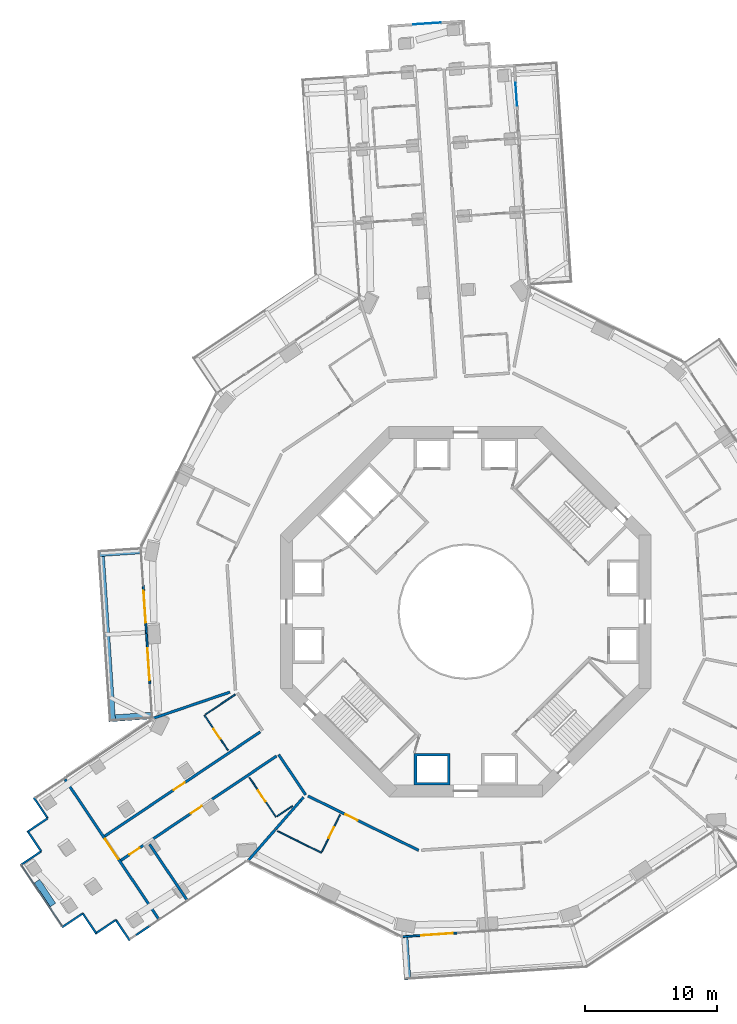
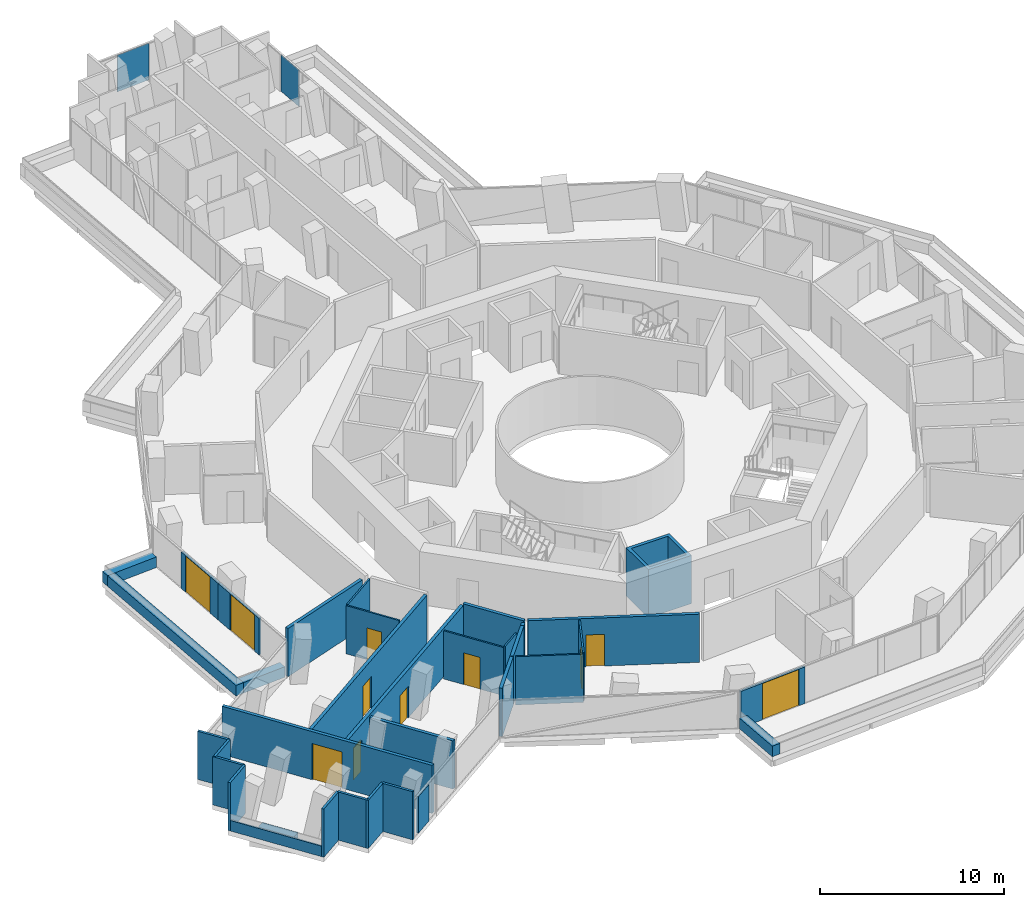
# One storey, part 17 of 25: 35 walls, 11 doors, 2 plates, 11 openings, 2 elements without a shape of their own.
"""IFC4 building model written with IfcOpenShell, lengths in metres."""

from ifc_helpers import new_model, si_unit, direction, frame, frame_2d, origin, origin_2d, place, context, subcontext, project, spatial, polyline, rectangle, outline, extrude, material, layer, layer_set, type_object, element, fill, aggregate, save


model = new_model("IFC4")

# Units and contexts
model_context = context("Model", 3, precision=1e-05, world=origin(), true_north=direction((0.0, 1.0)))
body_context = subcontext(model_context, "Body", "Model", "MODEL_VIEW")
ifc_project = project(units=[si_unit("LENGTHUNIT", "METRE"), si_unit("AREAUNIT", "SQUARE_METRE"), si_unit("VOLUMEUNIT", "CUBIC_METRE"), si_unit("PLANEANGLEUNIT", "RADIAN"), si_unit("MASSUNIT", "GRAM", prefix="KILO")], contexts=[model_context])

# Site, building, storey
site_placement = place(None, origin())
site = spatial("IfcSite", under=ifc_project, at=site_placement, CompositionType="ELEMENT")
building_placement = place(site_placement, origin())
building = spatial("IfcBuilding", under=site, at=building_placement, Name="Verdalira Terraces Hotel", CompositionType="ELEMENT")
storey_placement = place(building_placement, frame((0.0, 0.0, 49.5)))
storey = spatial("IfcBuildingStorey", under=building, at=storey_placement, Name="L10", CompositionType="ELEMENT", Elevation=49.5)

# Curtain wall, plate
ifc_material_1 = material(Name="Clear glass", Category="glass")
ifc_layer_1 = layer(ifc_material_1, 0.14990234375)
ifc_layer_set_1 = layer_set([ifc_layer_1], Name="CW2 curtain wall")
curtain_wall_type_1 = type_object("IfcCurtainWallType", Name="CW2 curtain wall", PredefinedType="NOTDEFINED", material=ifc_layer_set_1)
curtain_wall_1_placement = place(storey_placement, origin())
curtain_wall_1 = element("IfcCurtainWall", 1, at=curtain_wall_1_placement, inside=storey, type_object=curtain_wall_type_1, Name="CW2 curtain wall L10 edge 0", PredefinedType="NOTDEFINED")
ifc_material_2 = material(Name="Clear glass", Category="glass")
ifc_layer_2 = layer(ifc_material_2, 0.031982421875)
ifc_layer_set_2 = layer_set([ifc_layer_2], Name="CW2 glass unit 32")
plate_type_1 = type_object("IfcPlateType", Name="CW2 glass unit 32", PredefinedType="CURTAIN_PANEL", material=ifc_layer_set_2)
plate_1_placement = place(storey_placement, frame((3.815186, 39.097168, 0.0), z_axis=(0.0, 0.0, 1.0), x_axis=(-0.066970481, 0.997754957, 0.0)))
plate_1 = element("IfcPlate", 2, at=plate_1_placement, type_object=plate_type_1, Name="CW2 glass unit", PredefinedType="CURTAIN_PANEL", context=body_context, shape_type="SweptSolid", body=[
    extrude(rectangle(XDim=1.758057, YDim=0.031982, at=origin_2d()), origin(), (0.0, 0.0, 1.0), 2.425049),
])
aggregate(curtain_wall_1, [plate_1])

ifc_material_3 = material(Name="Clear glass", Category="glass")
ifc_layer_3 = layer(ifc_material_3, 0.14990234375)
ifc_layer_set_3 = layer_set([ifc_layer_3], Name="CW3 curtain wall")
curtain_wall_type_2 = type_object("IfcCurtainWallType", Name="CW3 curtain wall", PredefinedType="NOTDEFINED", material=ifc_layer_set_3)
curtain_wall_2_placement = place(storey_placement, origin())
curtain_wall_2 = element("IfcCurtainWall", 3, at=curtain_wall_2_placement, inside=storey, type_object=curtain_wall_type_2, Name="CW3 curtain wall L10 edge 5", PredefinedType="NOTDEFINED")
ifc_material_4 = material(Name="Clear glass", Category="glass")
ifc_layer_4 = layer(ifc_material_4, 0.035888671875)
ifc_layer_set_4 = layer_set([ifc_layer_4], Name="CW3 glass unit 36")
plate_type_2 = type_object("IfcPlateType", Name="CW3 glass unit 36", PredefinedType="CURTAIN_PANEL", material=ifc_layer_set_4)
plate_2_placement = place(storey_placement, frame((-2.936523, 44.436035, 0.0), z_axis=(0.0, 0.0, 1.0), x_axis=(-0.997754957, -0.066970481, 0.0)))
plate_2 = element("IfcPlate", 4, at=plate_2_placement, type_object=plate_type_2, Name="CW3 glass unit", PredefinedType="CURTAIN_PANEL", context=body_context, shape_type="SweptSolid", body=[
    extrude(rectangle(XDim=2.071777, YDim=0.035889, at=origin_2d()), origin(), (0.0, 0.0, 1.0), 2.425049),
])
aggregate(curtain_wall_2, [plate_2])

# Walls
ifc_material_5 = material(Name="Concrete C40", Category="concrete")
ifc_layer_5 = layer(ifc_material_5, 0.5)
ifc_layer_set_5 = layer_set([ifc_layer_5], Name="Balcony planter trough with tree")
wall_type_1 = type_object("IfcWallType", Name="Balcony planter trough with tree", PredefinedType="SOLIDWALL", material=ifc_layer_set_5)
wall_1_placement = place(storey_placement, frame((-24.623535, 4.611328, 0.0), z_axis=(0.0, 0.0, 1.0), x_axis=(-0.997752279, -0.067010365, 0.0)))
element("IfcWall", 5, at=wall_1_placement, inside=storey, type_object=wall_type_1, Name="Balcony planter", PredefinedType="SOLIDWALL", context=body_context, shape_type="SweptSolid", body=[
    extrude(rectangle(XDim=3.19873, YDim=0.5, at=frame_2d((1.599365, 0.0))), origin(), (0.0, 0.0, 1.0), 0.699951),
])
wall_2_placement = place(storey_placement, frame((-27.549072, 4.164307, 0.0), z_axis=(0.0, 0.0, 1.0), x_axis=(0.066972717, -0.997754807, 0.0)))
element("IfcWall", 6, at=wall_2_placement, inside=storey, type_object=wall_type_1, Name="Balcony planter", PredefinedType="SOLIDWALL", context=body_context, shape_type="SweptSolid", body=[
    extrude(rectangle(XDim=12.5, YDim=0.5, at=frame_2d((6.25, 0.0))), origin(), (0.0, 0.0, 1.0), 0.699951),
])
wall_3_placement = place(storey_placement, frame((-26.479248, -8.04126, 0.0), z_axis=(0.0, 0.0, 1.0), x_axis=(0.997757051, 0.066939276, 0.0)))
element("IfcWall", 7, at=wall_3_placement, inside=storey, type_object=wall_type_1, Name="Balcony planter", PredefinedType="SOLIDWALL", context=body_context, shape_type="SweptSolid", body=[
    extrude(rectangle(XDim=2.698975, YDim=0.5, at=frame_2d((1.349609, 0.0))), origin(), (0.0, 0.0, 1.0), 0.699951),
])
wall_4_placement = place(storey_placement, frame((-4.611328, -24.623535, 0.0), z_axis=(0.0, 0.0, 1.0), x_axis=(0.067010365, -0.997752279, 0.0)))
element("IfcWall", 8, at=wall_4_placement, inside=storey, type_object=wall_type_1, Name="Balcony planter", PredefinedType="SOLIDWALL", context=body_context, shape_type="SweptSolid", body=[
    extrude(rectangle(XDim=3.19873, YDim=0.5, at=frame_2d((1.599365, 0.0))), origin(), (0.0, 0.0, 1.0), 0.699951),
])

# Wall, opening, door
ifc_material_6 = material(Name="Moisture-resistant gypsum board partition")
ifc_layer_6 = layer(ifc_material_6, 0.10009765625)
ifc_layer_set_6 = layer_set([ifc_layer_6], Name="Bathroom partition 100 mm")
wall_type_2 = type_object("IfcWallType", Name="Bathroom partition 100 mm", PredefinedType="PARTITIONING", material=ifc_layer_set_6)
wall_5_placement = place(storey_placement, frame((-19.747803, -7.822021, 0.0), z_axis=(0.0, 0.0, 1.0), x_axis=(0.55686387, -0.830603775, 0.0)))
wall_5 = element("IfcWall", 9, at=wall_5_placement, inside=storey, type_object=wall_type_2, Name="Bathroom partition", PredefinedType="PARTITIONING", context=body_context, shape_type="SweptSolid", body=[
    extrude(rectangle(XDim=3.199951, YDim=0.100098, at=frame_2d((1.600098, 0.0))), origin(), (0.0, 0.0, 1.0), 3.189941),
])
opening_1_placement = place(wall_5_placement, frame((1.25, 0.0, 0.0)))
opening_1 = element("IfcOpeningElement", 10, at=opening_1_placement, cuts=wall_5, Name="Opening L10-117", PredefinedType="OPENING", context=body_context, shape_type="SweptSolid", body=[
    extrude(rectangle(XDim=0.899902, YDim=2.100098, at=frame_2d((0.449951, 1.050049))), frame((0.0, 0.060059, 0.0), z_axis=(0.0, -1.0, 0.0), x_axis=(1.0, 0.0, 0.0)), (0.0, 0.0, 1.0), 0.120117),
])
ifc_material_7 = material(Name="Timber door", Category="wood")
door_type_1 = type_object("IfcDoorType", Name="Bathroom door 900 x 2100", OperationType="NOTDEFINED", PredefinedType="DOOR", material=ifc_material_7)
door_1_placement = place(opening_1_placement, origin())
door_1 = element("IfcDoor", 11, at=door_1_placement, inside=storey, type_object=door_type_1, Name="Bathroom door 1006", OperationType="SINGLE_SWING_LEFT", OverallHeight=2.10009765625, OverallWidth=0.89990234375, PredefinedType="DOOR", context=body_context, shape_type="SweptSolid", body=[
    extrude(rectangle(XDim=0.899902, YDim=2.100098, at=frame_2d((0.449951, 1.050049))), frame((0.0, 0.024902, 0.0), z_axis=(0.0, -1.0, 0.0), x_axis=(1.0, 0.0, 0.0)), (0.0, 0.0, 1.0), 0.050049),
])
fill(opening_1, door_1)

# Wall
wall_6_placement = place(storey_placement, frame((-19.664795, -7.766357, 0.0), z_axis=(0.0, 0.0, 1.0), x_axis=(0.830628621, 0.556826807, 0.0)))
element("IfcWall", 12, at=wall_6_placement, inside=storey, type_object=wall_type_2, Name="Bathroom partition", PredefinedType="PARTITIONING", context=body_context, shape_type="SweptSolid", body=[
    extrude(rectangle(XDim=2.699951, YDim=0.100098, at=frame_2d((1.350098, 0.0))), origin(), (0.0, 0.0, 1.0), 3.189941),
])

# Wall, opening, door
wall_7_placement = place(storey_placement, frame((-16.351807, -12.52832, 0.0), z_axis=(0.0, 0.0, 1.0), x_axis=(0.556920558, -0.830565766, 0.0)))
wall_7 = element("IfcWall", 13, at=wall_7_placement, inside=storey, type_object=wall_type_2, Name="Bathroom partition", PredefinedType="PARTITIONING", context=body_context, shape_type="SweptSolid", body=[
    extrude(rectangle(XDim=3.599854, YDim=0.100098, at=frame_2d((1.799805, 0.0))), origin(), (0.0, 0.0, 1.0), 3.189941),
])
opening_2_placement = place(wall_7_placement, frame((1.199951, 0.0, 0.0)))
opening_2 = element("IfcOpeningElement", 14, at=opening_2_placement, cuts=wall_7, Name="Opening L10-120", PredefinedType="OPENING", context=body_context, shape_type="SweptSolid", body=[
    extrude(rectangle(XDim=1.0, YDim=2.100098, at=frame_2d((0.5, 1.050049))), frame((0.0, 0.060059, 0.0), z_axis=(0.0, -1.0, 0.0), x_axis=(1.0, 0.0, 0.0)), (0.0, 0.0, 1.0), 0.120117),
])
ifc_material_8 = material(Name="Timber door", Category="wood")
door_type_2 = type_object("IfcDoorType", Name="Bathroom door 1000 x 2100", OperationType="NOTDEFINED", PredefinedType="DOOR", material=ifc_material_8)
door_2_placement = place(opening_2_placement, origin())
door_2 = element("IfcDoor", 15, at=door_2_placement, inside=storey, type_object=door_type_2, Name="Bathroom door 1008", OperationType="SINGLE_SWING_RIGHT", OverallHeight=2.10009765625, OverallWidth=1.0, PredefinedType="DOOR", context=body_context, shape_type="SweptSolid", body=[
    extrude(rectangle(XDim=1.0, YDim=2.100098, at=frame_2d((0.5, 1.050049))), frame((0.0, 0.024902, 0.0), z_axis=(0.0, -1.0, 0.0), x_axis=(1.0, 0.0, 0.0)), (0.0, 0.0, 1.0), 0.050049),
])
fill(opening_2, door_2)

# Walls
wall_8_placement = place(storey_placement, frame((-13.102295, -14.683838, 0.0), z_axis=(0.0, 0.0, 1.0), x_axis=(-0.830597189, -0.556873693, 0.0)))
element("IfcWall", 16, at=wall_8_placement, inside=storey, type_object=wall_type_2, Name="Bathroom partition", PredefinedType="PARTITIONING", context=body_context, shape_type="SweptSolid", body=[
    extrude(rectangle(XDim=1.398438, YDim=0.100098, at=frame_2d((0.699219, 0.0))), origin(), (0.0, 0.0, 1.0), 3.189941),
])
wall_9_placement = place(storey_placement, frame((-10.906494, -18.21582, 0.0), z_axis=(0.0, 0.0, 1.0), x_axis=(-0.897555699, 0.440901085, 0.0)))
element("IfcWall", 17, at=wall_9_placement, inside=storey, type_object=wall_type_2, Name="Bathroom partition", PredefinedType="PARTITIONING", context=body_context, shape_type="SweptSolid", body=[
    extrude(rectangle(XDim=3.703857, YDim=0.100098, at=frame_2d((1.852051, 0.0))), origin(), (0.0, 0.0, 1.0), 3.189941),
])

# Wall, opening, door
wall_10_placement = place(storey_placement, frame((-10.862305, -18.125977, 0.0), z_axis=(0.0, 0.0, 1.0), x_axis=(0.440870487, 0.897570729, 0.0)))
wall_10 = element("IfcWall", 18, at=wall_10_placement, inside=storey, type_object=wall_type_2, Name="Bathroom partition", PredefinedType="PARTITIONING", context=body_context, shape_type="SweptSolid", body=[
    extrude(rectangle(XDim=3.100098, YDim=0.100098, at=frame_2d((1.550049, 0.0))), origin(), (0.0, 0.0, 1.0), 3.189941),
])
opening_3_placement = place(wall_10_placement, frame((1.149902, 0.0, 0.0)))
opening_3 = element("IfcOpeningElement", 19, at=opening_3_placement, cuts=wall_10, Name="Opening L10-122", PredefinedType="OPENING", context=body_context, shape_type="SweptSolid", body=[
    extrude(rectangle(XDim=0.899902, YDim=2.100098, at=frame_2d((0.449951, 1.050049))), frame((0.0, 0.060059, 0.0), z_axis=(0.0, -1.0, 0.0), x_axis=(1.0, 0.0, 0.0)), (0.0, 0.0, 1.0), 0.120117),
])
door_3_placement = place(opening_3_placement, origin())
door_3 = element("IfcDoor", 20, at=door_3_placement, inside=storey, type_object=door_type_1, Name="Bathroom door 1009", OperationType="SINGLE_SWING_LEFT", OverallHeight=2.10009765625, OverallWidth=0.89990234375, PredefinedType="DOOR", context=body_context, shape_type="SweptSolid", body=[
    extrude(rectangle(XDim=0.899902, YDim=2.100098, at=frame_2d((0.449951, 1.050049))), frame((0.0, 0.024902, 0.0), z_axis=(0.0, -1.0, 0.0), x_axis=(1.0, 0.0, 0.0)), (0.0, 0.0, 1.0), 0.050049),
])
fill(opening_3, door_3)

# Walls
ifc_material_9 = material(Name="Concrete C50", Category="concrete")
ifc_layer_7 = layer(ifc_material_9, 0.199951171875)
ifc_layer_set_7 = layer_set([ifc_layer_7], Name="Core RC wall 200 C50")
wall_type_3 = type_object("IfcWallType", Name="Core RC wall 200 C50", PredefinedType="SOLIDWALL", material=ifc_layer_set_7)
wall_11_placement = place(storey_placement, origin())
element("IfcWall", 21, at=wall_11_placement, inside=storey, type_object=wall_type_3, Name="L10 shaft wall S1", PredefinedType="SOLIDWALL", context=body_context, shape_type="SweptSolid", body=[
    extrude(outline(polyline([(-1.199951, -13.100098), (-3.899902, -13.100098), (-3.899902, -10.699951), (-1.199951, -10.699951), (-1.199951, -13.100098)]), holes=[polyline([(-3.699951, -10.899902), (-3.699951, -12.899902), (-1.399902, -12.899902), (-1.399902, -10.899902), (-3.699951, -10.899902)])]), origin(), (0.0, 0.0, 1.0), 3.189941),
])
ifc_material_10 = material(Name="Fire-rated gypsum board wall")
ifc_layer_8 = layer(ifc_material_10, 0.199951171875)
ifc_layer_set_8 = layer_set([ifc_layer_8], Name="Demising wall 200 mm")
wall_type_4 = type_object("IfcWallType", Name="Demising wall 200 mm", PredefinedType="SOLIDWALL", material=ifc_layer_set_8)
wall_12_placement = place(storey_placement, frame((-17.822998, -6.081299, 0.0), z_axis=(0.0, 0.0, 1.0), x_axis=(-0.946426146, -0.322920346, 0.0)))
element("IfcWall", 22, at=wall_12_placement, inside=storey, type_object=wall_type_4, Name="Demising wall", PredefinedType="SOLIDWALL", context=body_context, shape_type="SweptSolid", body=[
    extrude(rectangle(XDim=6.132324, YDim=0.199951, at=frame_2d((3.066162, 0.0))), origin(), (0.0, 0.0, 1.0), 3.189941),
])
wall_13_placement = place(storey_placement, frame((-14.415527, -16.48999, 0.0), z_axis=(0.0, 0.0, 1.0), x_axis=(-0.65814885, -0.752887834, 0.0)))
element("IfcWall", 23, at=wall_13_placement, inside=storey, type_object=wall_type_4, Name="Demising wall", PredefinedType="SOLIDWALL", context=body_context, shape_type="SweptSolid", body=[
    extrude(rectangle(XDim=3.061523, YDim=0.199951, at=frame_2d((1.530762, 0.0))), origin(), (0.0, 0.0, 1.0), 3.189941),
])
wall_14_placement = place(storey_placement, frame((-12.460449, -14.253418, 0.0), z_axis=(0.0, 0.0, 1.0), x_axis=(-0.658144024, -0.752892053, 0.0)))
element("IfcWall", 24, at=wall_14_placement, inside=storey, type_object=wall_type_4, Name="Demising wall", PredefinedType="SOLIDWALL", context=body_context, shape_type="SweptSolid", body=[
    extrude(rectangle(XDim=2.924561, YDim=0.199951, at=frame_2d((1.462402, 0.0))), origin(), (0.0, 0.0, 1.0), 3.189941),
])
wall_15_placement = place(storey_placement, frame((-12.262207, -14.026855, 0.0), z_axis=(0.0, 0.0, 1.0), x_axis=(-0.658504608, -0.752576695, 0.0)))
element("IfcWall", 25, at=wall_15_placement, inside=storey, type_object=wall_type_4, Name="Demising wall", PredefinedType="SOLIDWALL", context=body_context, shape_type="SweptSolid", body=[
    extrude(rectangle(XDim=0.301025, YDim=0.199951, at=frame_2d((0.150391, 0.0))), origin(), (0.0, 0.0, 1.0), 3.189941),
])

# Wall, opening, door
ifc_material_11 = material(Name="Fire-rated gypsum board wall")
ifc_layer_9 = layer(ifc_material_11, 0.199951171875)
ifc_layer_set_9 = layer_set([ifc_layer_9], Name="Guest corridor wall 200 mm")
wall_type_5 = type_object("IfcWallType", Name="Guest corridor wall 200 mm", PredefinedType="SOLIDWALL", material=ifc_layer_set_9)
wall_16_placement = place(storey_placement, frame((-27.297852, -16.977539, 0.0), z_axis=(0.0, 0.0, 1.0), x_axis=(0.83059481, 0.556877241, 0.0)))
wall_16 = element("IfcWall", 26, at=wall_16_placement, inside=storey, type_object=wall_type_5, Name="Guest corridor wall", PredefinedType="SOLIDWALL", context=body_context, shape_type="SweptSolid", body=[
    extrude(rectangle(XDim=14.169434, YDim=0.199951, at=frame_2d((7.084717, 0.0))), origin(), (0.0, 0.0, 1.0), 3.189941),
])
opening_4_placement = place(wall_16_placement, frame((6.300049, 0.0, 0.0)))
opening_4 = element("IfcOpeningElement", 27, at=opening_4_placement, cuts=wall_16, Name="Opening L10-116", PredefinedType="OPENING", context=body_context, shape_type="SweptSolid", body=[
    extrude(rectangle(XDim=1.0, YDim=2.100098, at=frame_2d((0.5, 1.050049))), frame((0.0, 0.109863, 0.0), z_axis=(0.0, -1.0, 0.0), x_axis=(1.0, 0.0, 0.0)), (0.0, 0.0, 1.0), 0.219971),
])
ifc_material_12 = material(Name="Timber fire door", Category="wood")
door_type_3 = type_object("IfcDoorType", Name="Guest entry door 1000 x 2100", OperationType="NOTDEFINED", PredefinedType="DOOR", material=ifc_material_12)
door_4_placement = place(opening_4_placement, origin())
door_4 = element("IfcDoor", 28, at=door_4_placement, inside=storey, type_object=door_type_3, Name="Guest entry door 1006", OperationType="SINGLE_SWING_LEFT", OverallHeight=2.10009765625, OverallWidth=1.0, PredefinedType="DOOR", context=body_context, shape_type="SweptSolid", body=[
    extrude(rectangle(XDim=1.0, YDim=2.100098, at=frame_2d((0.5, 1.050049))), frame((0.0, 0.024902, 0.0), z_axis=(0.0, -1.0, 0.0), x_axis=(1.0, 0.0, 0.0)), (0.0, 0.0, 1.0), 0.050049),
])
fill(opening_4, door_4)

# Wall, openings, doors
wall_17_placement = place(storey_placement, frame((-14.303711, -10.914307, 0.0), z_axis=(0.0, 0.0, 1.0), x_axis=(-0.83059481, -0.556877241, 0.0)))
wall_17 = element("IfcWall", 29, at=wall_17_placement, inside=storey, type_object=wall_type_5, Name="Guest corridor wall", PredefinedType="SOLIDWALL", context=body_context, shape_type="SweptSolid", body=[
    extrude(rectangle(XDim=14.169434, YDim=0.199951, at=frame_2d((7.084717, 0.0))), origin(), (0.0, 0.0, 1.0), 3.189941),
])
opening_5_placement = place(wall_17_placement, frame((12.474854, 0.0, 0.0)))
opening_5 = element("IfcOpeningElement", 30, at=opening_5_placement, cuts=wall_17, Name="Opening L10-118", PredefinedType="OPENING", context=body_context, shape_type="SweptSolid", body=[
    extrude(rectangle(XDim=0.899902, YDim=2.100098, at=frame_2d((0.449951, 1.050049))), frame((0.0, 0.109863, 0.0), z_axis=(0.0, -1.0, 0.0), x_axis=(1.0, 0.0, 0.0)), (0.0, 0.0, 1.0), 0.219971),
])
opening_6_placement = place(wall_17_placement, frame((6.800049, 0.0, 0.0)))
opening_6 = element("IfcOpeningElement", 31, at=opening_6_placement, cuts=wall_17, Name="Opening L10-119", PredefinedType="OPENING", context=body_context, shape_type="SweptSolid", body=[
    extrude(rectangle(XDim=1.0, YDim=2.100098, at=frame_2d((0.5, 1.050049))), frame((0.0, 0.109863, 0.0), z_axis=(0.0, -1.0, 0.0), x_axis=(1.0, 0.0, 0.0)), (0.0, 0.0, 1.0), 0.219971),
])
door_5_placement = place(opening_6_placement, origin())
door_5 = element("IfcDoor", 32, at=door_5_placement, inside=storey, type_object=door_type_3, Name="Guest entry door 1008", OperationType="SINGLE_SWING_RIGHT", OverallHeight=2.10009765625, OverallWidth=1.0, PredefinedType="DOOR", context=body_context, shape_type="SweptSolid", body=[
    extrude(rectangle(XDim=1.0, YDim=2.100098, at=frame_2d((0.5, 1.050049))), frame((0.0, 0.024902, 0.0), z_axis=(0.0, -1.0, 0.0), x_axis=(1.0, 0.0, 0.0)), (0.0, 0.0, 1.0), 0.050049),
])
fill(opening_6, door_5)
ifc_material_13 = material(Name="Steel fire door", Category="steel")
door_type_4 = type_object("IfcDoorType", Name="Service room door 900 x 2100", OperationType="NOTDEFINED", PredefinedType="DOOR", material=ifc_material_13)
door_6_placement = place(opening_5_placement, origin())
door_6 = element("IfcDoor", 33, at=door_6_placement, inside=storey, type_object=door_type_4, Name="Service room door 1007", OperationType="SINGLE_SWING_LEFT", OverallHeight=2.10009765625, OverallWidth=0.89990234375, PredefinedType="DOOR", context=body_context, shape_type="SweptSolid", body=[
    extrude(rectangle(XDim=0.899902, YDim=2.100098, at=frame_2d((0.449951, 1.050049))), frame((0.0, 0.024902, 0.0), z_axis=(0.0, -1.0, 0.0), x_axis=(1.0, 0.0, 0.0)), (0.0, 0.0, 1.0), 0.050049),
])
fill(opening_5, door_6)

# Wall
wall_18_placement = place(storey_placement, frame((-14.137451, -10.802734, 0.0), z_axis=(0.0, 0.0, 1.0), x_axis=(0.556900496, -0.830579218, 0.0)))
element("IfcWall", 34, at=wall_18_placement, inside=storey, type_object=wall_type_5, Name="Guest corridor wall", PredefinedType="SOLIDWALL", context=body_context, shape_type="SweptSolid", body=[
    extrude(rectangle(XDim=3.658447, YDim=0.199951, at=frame_2d((1.829102, 0.0))), origin(), (0.0, 0.0, 1.0), 3.189941),
])

# Wall, opening, door
wall_19_placement = place(storey_placement, frame((-3.558838, -18.036865, 0.0), z_axis=(0.0, 0.0, 1.0), x_axis=(-0.897570519, 0.440870915, 0.0)))
wall_19 = element("IfcWall", 35, at=wall_19_placement, inside=storey, type_object=wall_type_5, Name="Guest corridor wall", PredefinedType="SOLIDWALL", context=body_context, shape_type="SweptSolid", body=[
    extrude(rectangle(XDim=9.316162, YDim=0.199951, at=frame_2d((4.658203, 0.0))), origin(), (0.0, 0.0, 1.0), 3.189941),
])
opening_7_placement = place(wall_19_placement, frame((5.149902, 0.0, 0.0)))
opening_7 = element("IfcOpeningElement", 36, at=opening_7_placement, cuts=wall_19, Name="Opening L10-121", PredefinedType="OPENING", context=body_context, shape_type="SweptSolid", body=[
    extrude(rectangle(XDim=1.0, YDim=2.100098, at=frame_2d((0.5, 1.050049))), frame((0.0, 0.109863, 0.0), z_axis=(0.0, -1.0, 0.0), x_axis=(1.0, 0.0, 0.0)), (0.0, 0.0, 1.0), 0.219971),
])
door_7_placement = place(opening_7_placement, origin())
door_7 = element("IfcDoor", 37, at=door_7_placement, inside=storey, type_object=door_type_3, Name="Guest entry door 1009", OperationType="SINGLE_SWING_LEFT", OverallHeight=2.10009765625, OverallWidth=1.0, PredefinedType="DOOR", context=body_context, shape_type="SweptSolid", body=[
    extrude(rectangle(XDim=1.0, YDim=2.100098, at=frame_2d((0.5, 1.050049))), frame((0.0, 0.024902, 0.0), z_axis=(0.0, -1.0, 0.0), x_axis=(1.0, 0.0, 0.0)), (0.0, 0.0, 1.0), 0.050049),
])
fill(opening_7, door_7)

ifc_material_14 = material(Name="Terracotta cladding", Category="masonry")
ifc_layer_10 = layer(ifc_material_14, 0.199951171875)
ifc_layer_set_10 = layer_set([ifc_layer_10], Name="Loggia back wall 200")
wall_type_6 = type_object("IfcWallType", Name="Loggia back wall 200", PredefinedType="SOLIDWALL", material=ifc_layer_set_10)
wall_20_placement = place(storey_placement, frame((-23.215576, -23.210205, 0.0), z_axis=(0.0, 0.0, 1.0), x_axis=(-0.556885322, 0.830589392, 0.0)))
wall_20 = element("IfcWall", 38, at=wall_20_placement, inside=storey, type_object=wall_type_6, Name="Loggia back wall", PredefinedType="SOLIDWALL", context=body_context, shape_type="SweptSolid", body=[
    extrude(rectangle(XDim=12.700195, YDim=0.199951, at=frame_2d((6.350098, 0.0))), origin(), (0.0, 0.0, 1.0), 3.189941),
])
opening_8_placement = place(wall_20_placement, frame((5.449951, 0.0, 0.0)))
opening_8 = element("IfcOpeningElement", 39, at=opening_8_placement, cuts=wall_20, Name="Opening L10-L01", PredefinedType="OPENING", context=body_context, shape_type="SweptSolid", body=[
    extrude(rectangle(XDim=1.800049, YDim=2.399902, at=frame_2d((0.899902, 1.199951))), frame((0.0, 0.109863, 0.0), z_axis=(0.0, -1.0, 0.0), x_axis=(1.0, 0.0, 0.0)), (0.0, 0.0, 1.0), 0.219971),
])
ifc_material_15 = material(Name="Clear glass", Category="glass")
door_type_5 = type_object("IfcDoorType", Name="Garden double door 1800x2400", OperationType="NOTDEFINED", PredefinedType="DOOR", material=ifc_material_15)
door_8_placement = place(opening_8_placement, origin())
door_8 = element("IfcDoor", 40, at=door_8_placement, inside=storey, type_object=door_type_5, Name="Loggia double door", OperationType="DOUBLE_DOOR_SINGLE_SWING", OverallHeight=2.39990234375, OverallWidth=1.800048828125, PredefinedType="DOOR", context=body_context, shape_type="SweptSolid", body=[
    extrude(rectangle(XDim=1.800049, YDim=2.399902, at=frame_2d((0.899902, 1.199951))), frame((0.0, 0.024902, 0.0), z_axis=(0.0, -1.0, 0.0), x_axis=(1.0, 0.0, 0.0)), (0.0, 0.0, 1.0), 0.050049),
])
fill(opening_8, door_8)

# Walls
ifc_material_16 = material(Name="Concrete C40", Category="concrete")
ifc_layer_11 = layer(ifc_material_16, 0.5)
ifc_layer_set_11 = layer_set([ifc_layer_11], Name="Loggia planter trough with tree")
wall_type_7 = type_object("IfcWallType", Name="Loggia planter trough with tree", PredefinedType="SOLIDWALL", material=ifc_layer_set_11)
wall_21_placement = place(storey_placement, frame((-32.402588, -20.371826, 0.0), z_axis=(0.0, 0.0, 1.0), x_axis=(0.556911818, -0.830571627, 0.0)))
element("IfcWall", 41, at=wall_21_placement, inside=storey, type_object=wall_type_7, Name="Loggia planter", PredefinedType="SOLIDWALL", context=body_context, shape_type="SweptSolid", body=[
    extrude(rectangle(XDim=2.16333, YDim=0.5, at=frame_2d((1.081543, 0.0))), origin(), (0.0, 0.0, 1.0), 0.699951),
])
ifc_material_17 = material(Name="Concrete C40", Category="concrete")
ifc_layer_12 = layer(ifc_material_17, 0.10009765625)
ifc_layer_set_12 = layer_set([ifc_layer_12], Name="Loggia upstand 100")
wall_type_8 = type_object("IfcWallType", Name="Loggia upstand 100", PredefinedType="SOLIDWALL", material=ifc_layer_set_12)
wall_22_placement = place(storey_placement, frame((-33.557617, -19.187988, 0.0), z_axis=(0.0, 0.0, 1.0), x_axis=(0.556910882, -0.830572255, 0.0)))
element("IfcWall", 42, at=wall_22_placement, inside=storey, type_object=wall_type_8, Name="Loggia upstand", PredefinedType="SOLIDWALL", context=body_context, shape_type="SweptSolid", body=[
    extrude(rectangle(XDim=5.5, YDim=0.100098, at=frame_2d((2.75, 0.0))), origin(), (0.0, 0.0, 1.0), 0.699951),
])
ifc_material_18 = material(Name="Fire-rated gypsum board wall")
ifc_layer_13 = layer(ifc_material_18, 0.199951171875)
ifc_layer_set_13 = layer_set([ifc_layer_13], Name="Service room wall 200 mm")
wall_type_9 = type_object("IfcWallType", Name="Service room wall 200 mm", PredefinedType="SOLIDWALL", material=ifc_layer_set_13)
wall_23_placement = place(storey_placement, frame((-23.88916, -17.581787, 0.0), z_axis=(0.0, 0.0, 1.0), x_axis=(0.556873777, -0.830597132, 0.0)))
element("IfcWall", 43, at=wall_23_placement, inside=storey, type_object=wall_type_9, Name="Service room wall", PredefinedType="SOLIDWALL", context=body_context, shape_type="SweptSolid", body=[
    extrude(rectangle(XDim=5.050049, YDim=0.199951, at=frame_2d((2.524902, 0.0))), origin(), (0.0, 0.0, 1.0), 3.189941),
])
ifc_material_19 = material(Name="Terracotta cladding", Category="masonry")
ifc_layer_14 = layer(ifc_material_19, 0.14990234375)
ifc_layer_set_14 = layer_set([ifc_layer_14], Name="Terracotta clad wall 150")
wall_type_10 = type_object("IfcWallType", Name="Terracotta clad wall 150", PredefinedType="SOLIDWALL", material=ifc_layer_set_14)
wall_24_placement = place(storey_placement, frame((-32.63501, -14.054443, 0.0), z_axis=(0.0, 0.0, 1.0), x_axis=(0.556891742, -0.830585088, 0.0)))
element("IfcWall", 44, at=wall_24_placement, inside=storey, type_object=wall_type_10, Name="Terracotta cladding wall", PredefinedType="SOLIDWALL", context=body_context, shape_type="SweptSolid", body=[
    extrude(rectangle(XDim=1.875, YDim=0.149902, at=frame_2d((0.9375, 0.0))), origin(), (0.0, 0.0, 1.0), 3.189941),
])
wall_25_placement = place(storey_placement, frame((-31.59082, -15.611816, 0.0), z_axis=(0.0, 0.0, 1.0), x_axis=(-0.830586799, -0.55688919, 0.0)))
element("IfcWall", 45, at=wall_25_placement, inside=storey, type_object=wall_type_10, Name="Terracotta cladding wall", PredefinedType="SOLIDWALL", context=body_context, shape_type="SweptSolid", body=[
    extrude(rectangle(XDim=1.800049, YDim=0.149902, at=frame_2d((0.899902, 0.0))), origin(), (0.0, 0.0, 1.0), 3.189941),
])
for number, where, z_axis, x_axis, name in (
    (46, (-33.127686, -16.552002, 0.0), (0.0, 0.0, 1.0), (0.556891742, -0.830585088, 0.0), "Terracotta cladding wall"),
    (47, (-32.083496, -18.109375, 0.0), (0.0, 0.0, 1.0), (-0.830645314, -0.556801906, 0.0), "Terracotta cladding wall"),
    (48, (-30.494385, -23.846191, 0.0), (0.0, 0.0, 1.0), (0.830645314, 0.556801906, 0.0), "Terracotta cladding wall"),
):
    element("IfcWall", number, at=place(storey_placement, frame(where, z_axis=z_axis, x_axis=x_axis)), inside=storey, type_object=wall_type_10, Name=name, PredefinedType="SOLIDWALL", context=body_context, shape_type="SweptSolid", body=[
        extrude(rectangle(XDim=1.875, YDim=0.149902, at=frame_2d((0.9375, 0.0))), origin(), (0.0, 0.0, 1.0), 3.189941),
    ])
wall_26_placement = place(storey_placement, frame((-28.937012, -22.802246, 0.0), z_axis=(0.0, 0.0, 1.0), x_axis=(0.556858351, -0.830607475, 0.0)))
element("IfcWall", 49, at=wall_26_placement, inside=storey, type_object=wall_type_10, Name="Terracotta cladding wall", PredefinedType="SOLIDWALL", context=body_context, shape_type="SweptSolid", body=[
    extrude(rectangle(XDim=1.799805, YDim=0.149902, at=frame_2d((0.899902, 0.0))), origin(), (0.0, 0.0, 1.0), 3.189941),
])
for number, where, z_axis, x_axis, name in (
    (50, (-27.99707, -24.338867, 0.0), (0.0, 0.0, 1.0), (0.830645314, 0.556801906, 0.0), "Terracotta cladding wall"),
    (51, (-26.439697, -23.294922, 0.0), (0.0, 0.0, 1.0), (0.556891742, -0.830585088, 0.0), "Terracotta cladding wall"),
):
    element("IfcWall", number, at=place(storey_placement, frame(where, z_axis=z_axis, x_axis=x_axis)), inside=storey, type_object=wall_type_10, Name=name, PredefinedType="SOLIDWALL", context=body_context, shape_type="SweptSolid", body=[
        extrude(rectangle(XDim=1.875, YDim=0.149902, at=frame_2d((0.9375, 0.0))), origin(), (0.0, 0.0, 1.0), 3.189941),
    ])
ifc_material_20 = material(Name="Terracotta cladding", Category="masonry")
ifc_layer_15 = layer(ifc_material_20, 0.14990234375)
ifc_layer_set_15 = layer_set([ifc_layer_15], Name="Terracotta column pier 150")
wall_type_11 = type_object("IfcWallType", Name="Terracotta column pier 150", PredefinedType="SOLIDWALL", material=ifc_layer_set_15)
wall_27_placement = place(storey_placement, frame((-24.918213, -24.441895, 0.0), z_axis=(0.0, 0.0, 1.0), x_axis=(0.830554347, 0.556937588, 0.0)))
element("IfcWall", 52, at=wall_27_placement, inside=storey, type_object=wall_type_11, Name="Terracotta column pier", PredefinedType="SOLIDWALL", context=body_context, shape_type="SweptSolid", body=[
    extrude(rectangle(XDim=1.283203, YDim=0.149902, at=frame_2d((0.641602, 0.0))), origin(), (0.0, 0.0, 1.0), 2.425049),
])

# Wall, opening, door
ifc_material_21 = material(Name="Terracotta cladding", Category="masonry")
ifc_layer_16 = layer(ifc_material_21, 0.14990234375)
ifc_layer_set_16 = layer_set([ifc_layer_16], Name="Terracotta door pier 150")
wall_type_12 = type_object("IfcWallType", Name="Terracotta door pier 150", PredefinedType="SOLIDWALL", material=ifc_layer_set_16)
wall_28_placement = place(storey_placement, frame((-24.370117, 1.972412, 0.0), z_axis=(0.0, 0.0, 1.0), x_axis=(0.066933094, -0.997757466, 0.0)))
wall_28 = element("IfcWall", 53, at=wall_28_placement, inside=storey, type_object=wall_type_12, Name="Terracotta door pier", PredefinedType="SOLIDWALL", context=body_context, shape_type="SweptSolid", body=[
    extrude(rectangle(XDim=3.600098, YDim=0.149902, at=frame_2d((1.800049, 0.0))), origin(), (0.0, 0.0, 1.0), 2.425049),
])
opening_9_placement = place(wall_28_placement, frame((0.399902, 0.0, 0.0)))
opening_9 = element("IfcOpeningElement", 54, at=opening_9_placement, cuts=wall_28, Name="Opening L10-B09", PredefinedType="OPENING", context=body_context, shape_type="SweptSolid", body=[
    extrude(rectangle(XDim=2.399902, YDim=2.399902, at=frame_2d((1.199951, 1.199951))), frame((0.0, 0.084961, 0.0), z_axis=(0.0, -1.0, 0.0), x_axis=(1.0, 0.0, 0.0)), (0.0, 0.0, 1.0), 0.169922),
])
ifc_material_22 = material(Name="Clear glass", Category="glass")
door_type_6 = type_object("IfcDoorType", Name="Balcony sliding door 2400x2400", OperationType="NOTDEFINED", PredefinedType="DOOR", material=ifc_material_22)
door_9_placement = place(opening_9_placement, origin())
door_9 = element("IfcDoor", 55, at=door_9_placement, inside=storey, type_object=door_type_6, Name="Balcony sliding door", OperationType="SLIDING_TO_RIGHT", OverallHeight=2.39990234375, OverallWidth=2.39990234375, PredefinedType="DOOR", context=body_context, shape_type="SweptSolid", body=[
    extrude(rectangle(XDim=2.399902, YDim=2.399902, at=frame_2d((1.199951, 1.199951))), frame((0.0, 0.024902, 0.0), z_axis=(0.0, -1.0, 0.0), x_axis=(1.0, 0.0, 0.0)), (0.0, 0.0, 1.0), 0.050049),
])
fill(opening_9, door_9)

wall_29_placement = place(storey_placement, frame((-24.12915, -1.619629, 0.0), z_axis=(0.0, 0.0, 1.0), x_axis=(0.067005873, -0.997752581, 0.0)))
wall_29 = element("IfcWall", 56, at=wall_29_placement, inside=storey, type_object=wall_type_12, Name="Terracotta door pier", PredefinedType="SOLIDWALL", context=body_context, shape_type="SweptSolid", body=[
    extrude(rectangle(XDim=3.960449, YDim=0.149902, at=frame_2d((1.980225, 0.0))), origin(), (0.0, 0.0, 1.0), 2.425049),
])
opening_10_placement = place(wall_29_placement, frame((1.1604, 0.0, 0.0)))
opening_10 = element("IfcOpeningElement", 57, at=opening_10_placement, cuts=wall_29, Name="Opening L10-B10", PredefinedType="OPENING", context=body_context, shape_type="SweptSolid", body=[
    extrude(rectangle(XDim=2.399902, YDim=2.399902, at=frame_2d((1.199951, 1.199951))), frame((0.0, 0.084961, 0.0), z_axis=(0.0, -1.0, 0.0), x_axis=(1.0, 0.0, 0.0)), (0.0, 0.0, 1.0), 0.169922),
])
door_10_placement = place(opening_10_placement, origin())
door_10 = element("IfcDoor", 58, at=door_10_placement, inside=storey, type_object=door_type_6, Name="Balcony sliding door", OperationType="SLIDING_TO_LEFT", OverallHeight=2.39990234375, OverallWidth=2.39990234375, PredefinedType="DOOR", context=body_context, shape_type="SweptSolid", body=[
    extrude(rectangle(XDim=2.399902, YDim=2.399902, at=frame_2d((1.199951, 1.199951))), frame((0.0, 0.024902, 0.0), z_axis=(0.0, -1.0, 0.0), x_axis=(1.0, 0.0, 0.0)), (0.0, 0.0, 1.0), 0.050049),
])
fill(opening_10, door_10)

wall_30_placement = place(storey_placement, frame((-4.765869, -24.557617, 0.0), z_axis=(0.0, 0.0, 1.0), x_axis=(0.997753916, 0.066985985, 0.0)))
wall_30 = element("IfcWall", 59, at=wall_30_placement, inside=storey, type_object=wall_type_12, Name="Terracotta door pier", PredefinedType="SOLIDWALL", context=body_context, shape_type="SweptSolid", body=[
    extrude(rectangle(XDim=4.19873, YDim=0.149902, at=frame_2d((2.099365, 0.0))), origin(), (0.0, 0.0, 1.0), 2.425049),
])
opening_11_placement = place(wall_30_placement, frame((1.398682, 0.0, 0.0)))
opening_11 = element("IfcOpeningElement", 60, at=opening_11_placement, cuts=wall_30, Name="Opening L10-B11", PredefinedType="OPENING", context=body_context, shape_type="SweptSolid", body=[
    extrude(rectangle(XDim=2.399902, YDim=2.399902, at=frame_2d((1.199951, 1.199951))), frame((0.0, 0.084961, 0.0), z_axis=(0.0, -1.0, 0.0), x_axis=(1.0, 0.0, 0.0)), (0.0, 0.0, 1.0), 0.169922),
])
door_11_placement = place(opening_11_placement, origin())
door_11 = element("IfcDoor", 61, at=door_11_placement, inside=storey, type_object=door_type_6, Name="Balcony sliding door", OperationType="SLIDING_TO_LEFT", OverallHeight=2.39990234375, OverallWidth=2.39990234375, PredefinedType="DOOR", context=body_context, shape_type="SweptSolid", body=[
    extrude(rectangle(XDim=2.399902, YDim=2.399902, at=frame_2d((1.199951, 1.199951))), frame((0.0, 0.024902, 0.0), z_axis=(0.0, -1.0, 0.0), x_axis=(1.0, 0.0, 0.0)), (0.0, 0.0, 1.0), 0.050049),
])
fill(opening_11, door_11)

save(model, "model.ifc")
